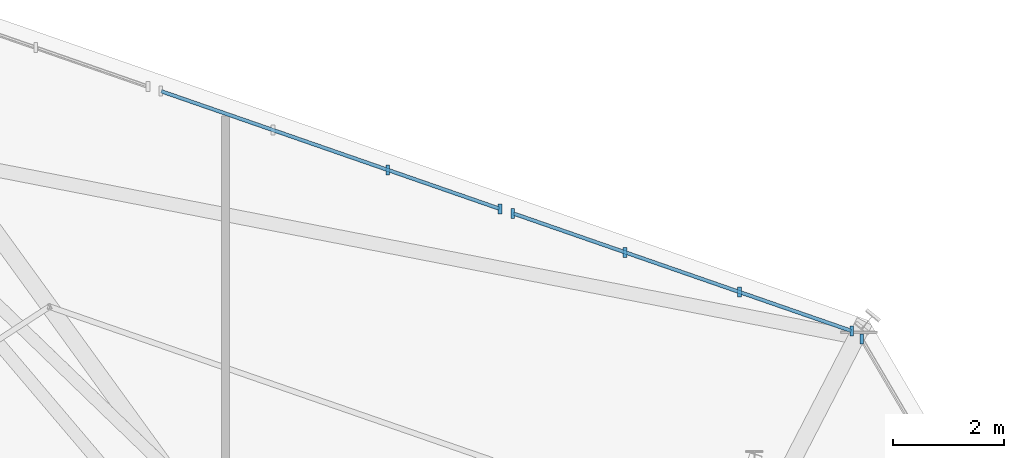
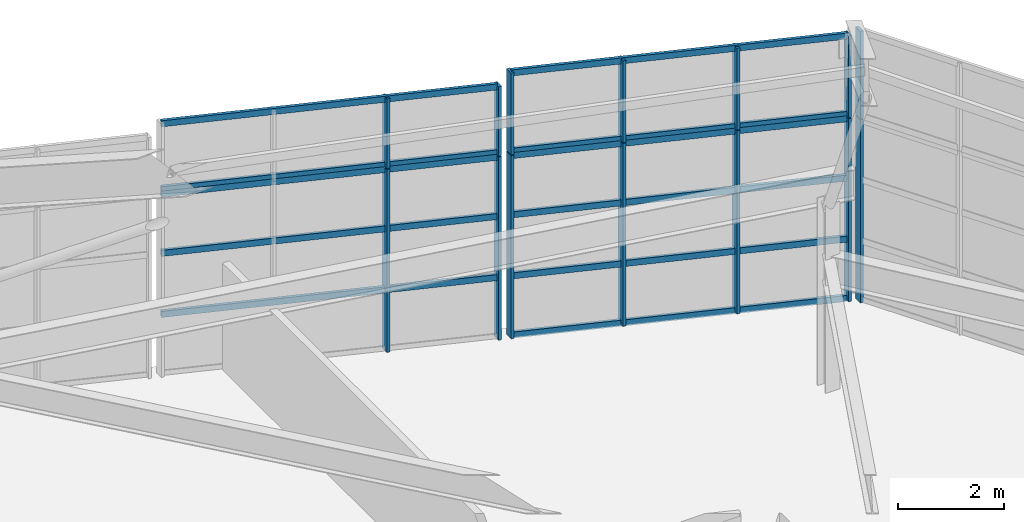
# One storey, part 21 of 50: 25 members, 6 elements without a shape of their own.
"""IFC4 building model written with IfcOpenShell, lengths in metres."""

from ifc_helpers import new_model, si_unit, direction, frame, origin, origin_2d, place, context, subcontext, project, spatial, rectangle, extrude, material, material_profile, profile_set, type_object, element, aggregate, save


model = new_model("IFC4")

# Units and contexts
model_context = context("Model", 3, precision=1e-05, world=origin(), true_north=direction((0.0, 1.0)))
body_context = subcontext(model_context, "Body", "Model", "MODEL_VIEW")
ifc_project = project(units=[si_unit("LENGTHUNIT", "METRE"), si_unit("AREAUNIT", "SQUARE_METRE"), si_unit("VOLUMEUNIT", "CUBIC_METRE"), si_unit("PLANEANGLEUNIT", "RADIAN"), si_unit("MASSUNIT", "GRAM", prefix="KILO")], contexts=[model_context])

# Site, building, storey
site_placement = place(None, origin())
site = spatial("IfcSite", under=ifc_project, at=site_placement, CompositionType="ELEMENT")
building_placement = place(site_placement, origin())
building = spatial("IfcBuilding", under=site, at=building_placement, Name="Sarnbrook Museum", CompositionType="ELEMENT")
storey_placement = place(building_placement, frame((0.0, 0.0, 28.10009765625)))
storey = spatial("IfcBuildingStorey", under=building, at=storey_placement, Name="L05", CompositionType="ELEMENT", Elevation=28.10009765625)

# Curtain wall, member
ifc_material = material(Name="Thermally Broken Anodised Aluminium 6063-T6", Category="aluminium")
curtain_wall_type_1 = type_object("IfcCurtainWallType", Name="CurtainWall_CrystalFacet", PredefinedType="NOTDEFINED", material=ifc_material)
curtain_wall_1_placement = place(storey_placement, origin())
curtain_wall_1 = element("IfcCurtainWall", 1, at=curtain_wall_1_placement, inside=storey, type_object=curtain_wall_type_1, Name="Crystal Hall Facet Curtain Wall L05-F4.3", PredefinedType="NOTDEFINED")
ifc_material_profile_1 = material_profile(ifc_material, rectangle(XDim=0.06494140625, YDim=0.179931640625, at=origin_2d()), Name="ALU MULLION 65x180")
ifc_profile_set_1 = profile_set([ifc_material_profile_1], Name="Thermally Broken Anodised Aluminium 6063-T6")
member_type_1 = type_object("IfcMemberType", Name="CW_Mullion_180x75", PredefinedType="MULLION", material=ifc_profile_set_1)
member_1_placement = place(storey_placement, frame((155.469482421875, 104.826171875, 0.0), z_axis=(0.0, 0.0, 1.0), x_axis=(1.0, 0.0, 0.0)))
member_1 = element("IfcMember", 2, at=member_1_placement, type_object=member_type_1, Name="Crystal Hall Facet Curtain Wall L05-F4.3 Mullion 4", PredefinedType="MULLION", context=body_context, shape_type="SweptSolid", body=[
    extrude(rectangle(XDim=0.06494140625, YDim=0.179931640625, at=origin_2d()), origin(), (0.0, 0.0, 1.0), 4.199951171875),
])
aggregate(curtain_wall_1, [member_1])

curtain_wall_type_2 = type_object("IfcCurtainWallType", Name="CurtainWall_Sawtooth", PredefinedType="NOTDEFINED", material=ifc_material)
curtain_wall_2_placement = place(storey_placement, origin())
curtain_wall_2 = element("IfcCurtainWall", 3, at=curtain_wall_2_placement, inside=storey, type_object=curtain_wall_type_2, Name="Crystal Roof Folded Eaves Clerestory 7", PredefinedType="NOTDEFINED")
member_2_placement = place(storey_placement, frame((155.469482421875, 104.826171875, 4.219970703125), z_axis=(0.0, 0.0, 1.0), x_axis=(1.0, 0.0, 0.0)))
member_2 = element("IfcMember", 4, at=member_2_placement, type_object=member_type_1, Name="Crystal Roof Folded Eaves Clerestory 7 Mullion 4", PredefinedType="MULLION", context=body_context, shape_type="SweptSolid", body=[
    extrude(rectangle(XDim=0.06494140625, YDim=0.179931640625, at=origin_2d()), origin(), (0.0, 0.0, 1.0), 2.010009765625),
])
aggregate(curtain_wall_2, [member_2])

# Curtain wall, members
curtain_wall_3_placement = place(storey_placement, origin())
curtain_wall_3 = element("IfcCurtainWall", 5, at=curtain_wall_3_placement, inside=storey, type_object=curtain_wall_type_1, Name="Crystal Hall Facet Curtain Wall L05-F5.1", PredefinedType="NOTDEFINED")
member_3_placement = place(storey_placement, frame((155.29541015625, 104.968994140625, 0.0), z_axis=(0.0, 0.0, 1.0), x_axis=(1.0, 0.0, 0.0)))
member_3 = element("IfcMember", 6, at=member_3_placement, type_object=member_type_1, Name="Crystal Hall Facet Curtain Wall L05-F5.1 Mullion 1", PredefinedType="MULLION", context=body_context, shape_type="SweptSolid", body=[
    extrude(rectangle(XDim=0.06494140625, YDim=0.179931640625, at=origin_2d()), origin(), (0.0, 0.0, 1.0), 4.199951171875),
])
member_4_placement = place(storey_placement, frame((153.275146484375, 105.67041015625, 0.0), z_axis=(0.0, 0.0, 1.0), x_axis=(1.0, 0.0, 0.0)))
member_4 = element("IfcMember", 7, at=member_4_placement, type_object=member_type_1, Name="Crystal Hall Facet Curtain Wall L05-F5.1 Mullion 2", PredefinedType="MULLION", context=body_context, shape_type="SweptSolid", body=[
    extrude(rectangle(XDim=0.06494140625, YDim=0.179931640625, at=origin_2d()), origin(), (0.0, 0.0, 1.0), 4.199951171875),
])
member_5_placement = place(storey_placement, frame((151.21728515625, 106.385009765625, 0.0), z_axis=(0.0, 0.0, 1.0), x_axis=(1.0, 0.0, 0.0)))
member_5 = element("IfcMember", 8, at=member_5_placement, type_object=member_type_1, Name="Crystal Hall Facet Curtain Wall L05-F5.1 Mullion 3", PredefinedType="MULLION", context=body_context, shape_type="SweptSolid", body=[
    extrude(rectangle(XDim=0.06494140625, YDim=0.179931640625, at=origin_2d()), origin(), (0.0, 0.0, 1.0), 4.199951171875),
])
member_6_placement = place(storey_placement, frame((149.197265625, 107.08642578125, 0.0), z_axis=(0.0, 0.0, 1.0), x_axis=(1.0, 0.0, 0.0)))
member_6 = element("IfcMember", 9, at=member_6_placement, type_object=member_type_1, Name="Crystal Hall Facet Curtain Wall L05-F5.1 Mullion 4", PredefinedType="MULLION", context=body_context, shape_type="SweptSolid", body=[
    extrude(rectangle(XDim=0.06494140625, YDim=0.179931640625, at=origin_2d()), origin(), (0.0, 0.0, 1.0), 4.199951171875),
])

curtain_wall_4_placement = place(storey_placement, origin())
curtain_wall_4 = element("IfcCurtainWall", 10, at=curtain_wall_4_placement, inside=storey, type_object=curtain_wall_type_2, Name="Crystal Roof Folded Eaves Clerestory 8", PredefinedType="NOTDEFINED")
member_7_placement = place(storey_placement, frame((155.29541015625, 104.968994140625, 4.219970703125), z_axis=(0.0, 0.0, 1.0), x_axis=(1.0, 0.0, 0.0)))
member_7 = element("IfcMember", 11, at=member_7_placement, type_object=member_type_1, Name="Crystal Roof Folded Eaves Clerestory 8 Mullion 1", PredefinedType="MULLION", context=body_context, shape_type="SweptSolid", body=[
    extrude(rectangle(XDim=0.06494140625, YDim=0.179931640625, at=origin_2d()), origin(), (0.0, 0.0, 1.0), 1.876953125),
])
member_8_placement = place(storey_placement, frame((153.275146484375, 105.67041015625, 4.219970703125), z_axis=(0.0, 0.0, 1.0), x_axis=(1.0, 0.0, 0.0)))
member_8 = element("IfcMember", 12, at=member_8_placement, type_object=member_type_1, Name="Crystal Roof Folded Eaves Clerestory 8 Mullion 2", PredefinedType="MULLION", context=body_context, shape_type="SweptSolid", body=[
    extrude(rectangle(XDim=0.06494140625, YDim=0.179931640625, at=origin_2d()), origin(), (0.0, 0.0, 1.0), 1.876953125),
])
member_9_placement = place(storey_placement, frame((151.21728515625, 106.385009765625, 4.219970703125), z_axis=(0.0, 0.0, 1.0), x_axis=(1.0, 0.0, 0.0)))
member_9 = element("IfcMember", 13, at=member_9_placement, type_object=member_type_1, Name="Crystal Roof Folded Eaves Clerestory 8 Mullion 3", PredefinedType="MULLION", context=body_context, shape_type="SweptSolid", body=[
    extrude(rectangle(XDim=0.06494140625, YDim=0.179931640625, at=origin_2d()), origin(), (0.0, 0.0, 1.0), 1.876953125),
])
member_10_placement = place(storey_placement, frame((149.197265625, 107.08642578125, 4.219970703125), z_axis=(0.0, 0.0, 1.0), x_axis=(1.0, 0.0, 0.0)))
member_10 = element("IfcMember", 14, at=member_10_placement, type_object=member_type_1, Name="Crystal Roof Folded Eaves Clerestory 8 Mullion 4", PredefinedType="MULLION", context=body_context, shape_type="SweptSolid", body=[
    extrude(rectangle(XDim=0.06494140625, YDim=0.179931640625, at=origin_2d()), origin(), (0.0, 0.0, 1.0), 1.876953125),
])

curtain_wall_5_placement = place(storey_placement, origin())
curtain_wall_5 = element("IfcCurtainWall", 15, at=curtain_wall_5_placement, inside=storey, type_object=curtain_wall_type_1, Name="Crystal Hall Facet Curtain Wall L05-F5.2", PredefinedType="NOTDEFINED")
member_11_placement = place(storey_placement, frame((148.970458984375, 107.165283203125, 0.0), z_axis=(0.0, 0.0, 1.0), x_axis=(1.0, 0.0, 0.0)))
member_11 = element("IfcMember", 16, at=member_11_placement, type_object=member_type_1, Name="Crystal Hall Facet Curtain Wall L05-F5.2 Mullion 1", PredefinedType="MULLION", context=body_context, shape_type="SweptSolid", body=[
    extrude(rectangle(XDim=0.06494140625, YDim=0.179931640625, at=origin_2d()), origin(), (0.0, 0.0, 1.0), 4.199951171875),
])
member_12_placement = place(storey_placement, frame((146.950439453125, 107.86669921875, 0.0), z_axis=(0.0, 0.0, 1.0), x_axis=(1.0, 0.0, 0.0)))
member_12 = element("IfcMember", 17, at=member_12_placement, type_object=member_type_1, Name="Crystal Hall Facet Curtain Wall L05-F5.2 Mullion 2", PredefinedType="MULLION", context=body_context, shape_type="SweptSolid", body=[
    extrude(rectangle(XDim=0.06494140625, YDim=0.179931640625, at=origin_2d()), origin(), (0.0, 0.0, 1.0), 4.199951171875),
])

curtain_wall_6_placement = place(storey_placement, origin())
curtain_wall_6 = element("IfcCurtainWall", 18, at=curtain_wall_6_placement, inside=storey, type_object=curtain_wall_type_2, Name="Crystal Roof Folded Eaves Clerestory 9", PredefinedType="NOTDEFINED")
member_13_placement = place(storey_placement, frame((148.970458984375, 107.165283203125, 4.219970703125), z_axis=(0.0, 0.0, 1.0), x_axis=(1.0, 0.0, 0.0)))
member_13 = element("IfcMember", 19, at=member_13_placement, type_object=member_type_1, Name="Crystal Roof Folded Eaves Clerestory 9 Mullion 1", PredefinedType="MULLION", context=body_context, shape_type="SweptSolid", body=[
    extrude(rectangle(XDim=0.06494140625, YDim=0.179931640625, at=origin_2d()), origin(), (0.0, 0.0, 1.0), 1.593017578125),
])
member_14_placement = place(storey_placement, frame((146.950439453125, 107.86669921875, 4.219970703125), z_axis=(0.0, 0.0, 1.0), x_axis=(1.0, 0.0, 0.0)))
member_14 = element("IfcMember", 20, at=member_14_placement, type_object=member_type_1, Name="Crystal Roof Folded Eaves Clerestory 9 Mullion 2", PredefinedType="MULLION", context=body_context, shape_type="SweptSolid", body=[
    extrude(rectangle(XDim=0.06494140625, YDim=0.179931640625, at=origin_2d()), origin(), (0.0, 0.0, 1.0), 1.593017578125),
])

# Member
ifc_material_profile_2 = material_profile(ifc_material, rectangle(XDim=0.06494140625, YDim=0.139892578125, at=origin_2d()), Name="ALU TRANSOM 65x140")
ifc_profile_set_2 = profile_set([ifc_material_profile_2], Name="Thermally Broken Anodised Aluminium 6063-T6")
member_type_2 = type_object("IfcMemberType", Name="CW_Transom_150x65", PredefinedType="USERDEFINED", material=ifc_profile_set_2)
member_15_placement = place(storey_placement, frame((155.285888671875, 104.972412109375, 0.039794921875), z_axis=(-0.944671704916, 0.328017331755, 0.0), x_axis=(-0.328017331755, -0.944671704916, 0.0)))
member_15 = element("IfcMember", 21, at=member_15_placement, type_object=member_type_2, Name="Crystal Hall Facet Curtain Wall L05-F5.1 Transom 1", ObjectType="TRANSOM", PredefinedType="USERDEFINED", context=body_context, shape_type="SweptSolid", body=[
    extrude(rectangle(XDim=0.06494140625, YDim=0.139892578125, at=origin_2d()), origin(), (0.0, 0.0, 1.0), 6.43505859375),
])

member_16_placement = place(storey_placement, frame((155.285888671875, 104.972412109375, 1.39990234375), z_axis=(-0.944671704916, 0.328017331755, 0.0), x_axis=(-0.328017331755, -0.944671704916, 0.0)))
member_16 = element("IfcMember", 22, at=member_16_placement, type_object=member_type_2, Name="Crystal Hall Facet Curtain Wall L05-F5.1 Transom 2", ObjectType="TRANSOM", PredefinedType="USERDEFINED", context=body_context, shape_type="SweptSolid", body=[
    extrude(rectangle(XDim=0.06494140625, YDim=0.139892578125, at=origin_2d()), origin(), (0.0, 0.0, 1.0), 6.43505859375),
])

member_17_placement = place(storey_placement, frame((155.285888671875, 104.972412109375, 2.7998046875), z_axis=(-0.944671704916, 0.328017331755, 0.0), x_axis=(-0.328017331755, -0.944671704916, 0.0)))
member_17 = element("IfcMember", 23, at=member_17_placement, type_object=member_type_2, Name="Crystal Hall Facet Curtain Wall L05-F5.1 Transom 3", ObjectType="TRANSOM", PredefinedType="USERDEFINED", context=body_context, shape_type="SweptSolid", body=[
    extrude(rectangle(XDim=0.06494140625, YDim=0.139892578125, at=origin_2d()), origin(), (0.0, 0.0, 1.0), 6.43505859375),
])

member_18_placement = place(storey_placement, frame((155.285888671875, 104.972412109375, 4.159912109375), z_axis=(-0.944671704916, 0.328017331755, 0.0), x_axis=(-0.328017331755, -0.944671704916, 0.0)))
member_18 = element("IfcMember", 24, at=member_18_placement, type_object=member_type_2, Name="Crystal Hall Facet Curtain Wall L05-F5.1 Transom 4", ObjectType="TRANSOM", PredefinedType="USERDEFINED", context=body_context, shape_type="SweptSolid", body=[
    extrude(rectangle(XDim=0.06494140625, YDim=0.139892578125, at=origin_2d()), origin(), (0.0, 0.0, 1.0), 6.43505859375),
])

aggregate(curtain_wall_3, [member_3, member_4, member_5, member_6, member_15, member_16, member_17, member_18])

member_19_placement = place(storey_placement, frame((155.285888671875, 104.972412109375, 4.260009765625), z_axis=(-0.944671704916, 0.328017331755, 0.0), x_axis=(-0.328017331755, -0.944671704916, 0.0)))
member_19 = element("IfcMember", 25, at=member_19_placement, type_object=member_type_2, Name="Crystal Roof Folded Eaves Clerestory 8 Transom 1", ObjectType="TRANSOM", PredefinedType="USERDEFINED", context=body_context, shape_type="SweptSolid", body=[
    extrude(rectangle(XDim=0.06494140625, YDim=0.139892578125, at=origin_2d()), origin(), (0.0, 0.0, 1.0), 6.43505859375),
])

member_20_placement = place(storey_placement, frame((155.285888671875, 104.972412109375, 6.056884765625), z_axis=(-0.944671704916, 0.328017331755, 0.0), x_axis=(-0.328017331755, -0.944671704916, 0.0)))
member_20 = element("IfcMember", 26, at=member_20_placement, type_object=member_type_2, Name="Crystal Roof Folded Eaves Clerestory 8 Transom 2", ObjectType="TRANSOM", PredefinedType="USERDEFINED", context=body_context, shape_type="SweptSolid", body=[
    extrude(rectangle(XDim=0.06494140625, YDim=0.139892578125, at=origin_2d()), origin(), (0.0, 0.0, 1.0), 6.43505859375),
])

aggregate(curtain_wall_4, [member_7, member_8, member_9, member_10, member_19, member_20])

member_21_placement = place(storey_placement, frame((148.961181640625, 107.16845703125, 1.39990234375), z_axis=(-0.944675786716, 0.32800557616, 0.0), x_axis=(-0.32800557616, -0.944675786716, 0.0)))
member_21 = element("IfcMember", 27, at=member_21_placement, type_object=member_type_2, Name="Crystal Hall Facet Curtain Wall L05-F5.2 Transom 2", ObjectType="TRANSOM", PredefinedType="USERDEFINED", context=body_context, shape_type="SweptSolid", body=[
    extrude(rectangle(XDim=0.06494140625, YDim=0.139892578125, at=origin_2d()), origin(), (0.0, 0.0, 1.0), 6.435302734375),
])

member_22_placement = place(storey_placement, frame((148.961181640625, 107.16845703125, 2.7998046875), z_axis=(-0.944675786716, 0.32800557616, 0.0), x_axis=(-0.32800557616, -0.944675786716, 0.0)))
member_22 = element("IfcMember", 28, at=member_22_placement, type_object=member_type_2, Name="Crystal Hall Facet Curtain Wall L05-F5.2 Transom 3", ObjectType="TRANSOM", PredefinedType="USERDEFINED", context=body_context, shape_type="SweptSolid", body=[
    extrude(rectangle(XDim=0.06494140625, YDim=0.139892578125, at=origin_2d()), origin(), (0.0, 0.0, 1.0), 6.435302734375),
])

member_23_placement = place(storey_placement, frame((148.961181640625, 107.16845703125, 4.159912109375), z_axis=(-0.944675786716, 0.32800557616, 0.0), x_axis=(-0.32800557616, -0.944675786716, 0.0)))
member_23 = element("IfcMember", 29, at=member_23_placement, type_object=member_type_2, Name="Crystal Hall Facet Curtain Wall L05-F5.2 Transom 4", ObjectType="TRANSOM", PredefinedType="USERDEFINED", context=body_context, shape_type="SweptSolid", body=[
    extrude(rectangle(XDim=0.06494140625, YDim=0.139892578125, at=origin_2d()), origin(), (0.0, 0.0, 1.0), 6.435302734375),
])

aggregate(curtain_wall_5, [member_11, member_12, member_21, member_22, member_23])

member_24_placement = place(storey_placement, frame((148.961181640625, 107.16845703125, 4.260009765625), z_axis=(-0.944675786716, 0.32800557616, 0.0), x_axis=(-0.32800557616, -0.944675786716, 0.0)))
member_24 = element("IfcMember", 30, at=member_24_placement, type_object=member_type_2, Name="Crystal Roof Folded Eaves Clerestory 9 Transom 1", ObjectType="TRANSOM", PredefinedType="USERDEFINED", context=body_context, shape_type="SweptSolid", body=[
    extrude(rectangle(XDim=0.06494140625, YDim=0.139892578125, at=origin_2d()), origin(), (0.0, 0.0, 1.0), 6.435302734375),
])

member_25_placement = place(storey_placement, frame((148.961181640625, 107.16845703125, 5.77294921875), z_axis=(-0.944675786716, 0.32800557616, 0.0), x_axis=(-0.32800557616, -0.944675786716, 0.0)))
member_25 = element("IfcMember", 31, at=member_25_placement, type_object=member_type_2, Name="Crystal Roof Folded Eaves Clerestory 9 Transom 2", ObjectType="TRANSOM", PredefinedType="USERDEFINED", context=body_context, shape_type="SweptSolid", body=[
    extrude(rectangle(XDim=0.06494140625, YDim=0.139892578125, at=origin_2d()), origin(), (0.0, 0.0, 1.0), 6.435302734375),
])

aggregate(curtain_wall_6, [member_13, member_14, member_24, member_25])

save(model, "model.ifc")
